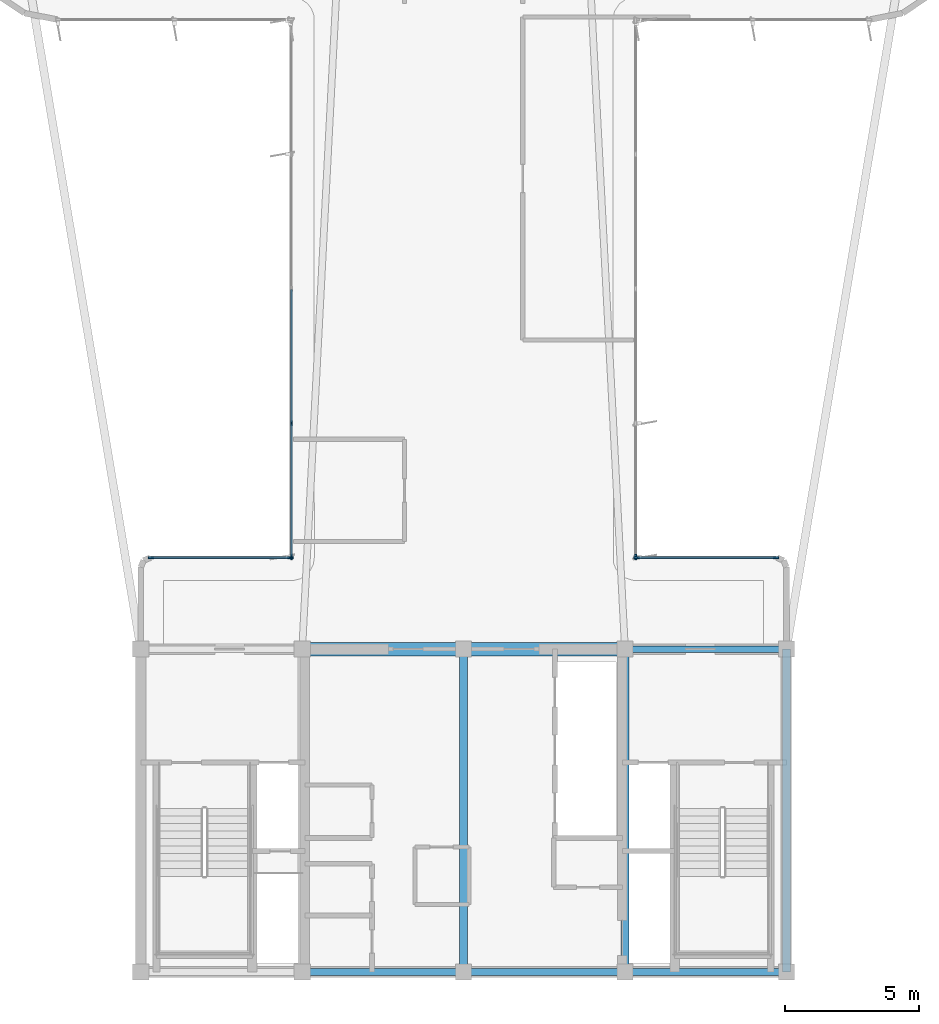
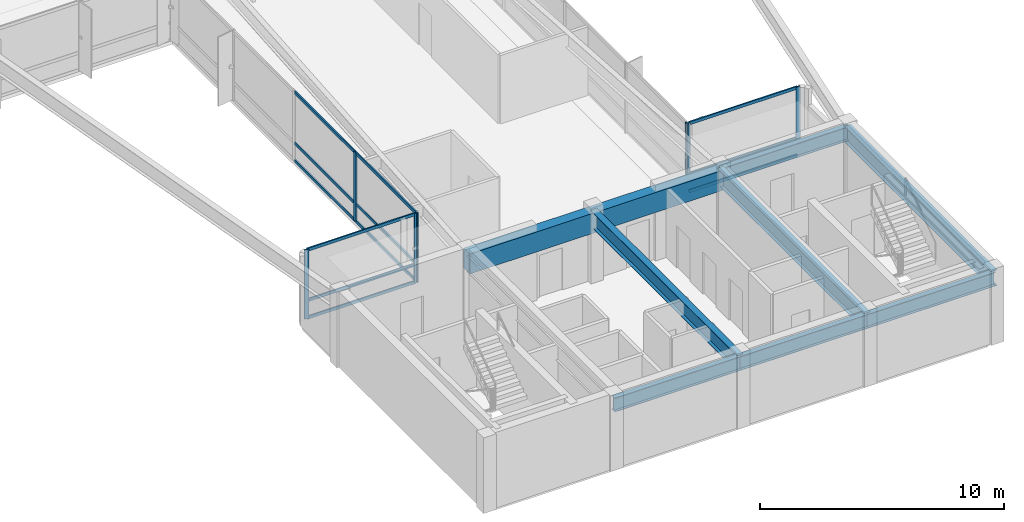
# One storey, part 3 of 17: 19 members, 8 beams, 4 elements without a shape of their own.
"""IFC4 building model written with IfcOpenShell, lengths in metres."""

from ifc_helpers import new_model, si_unit, direction, frame, origin, origin_2d, place, context, subcontext, project, spatial, rectangle, i_section, extrude, source, transform, mapped, material, layer, layer_set, material_profile, profile_set, type_object, element, aggregate, save


model = new_model("IFC4")

# Units and contexts
model_context = context("Model", 3, precision=1e-05, world=origin(), true_north=direction((0.0, 1.0)))
body_context = subcontext(model_context, "Body", "Model", "MODEL_VIEW")
ifc_project = project(units=[si_unit("LENGTHUNIT", "METRE"), si_unit("AREAUNIT", "SQUARE_METRE"), si_unit("VOLUMEUNIT", "CUBIC_METRE"), si_unit("PLANEANGLEUNIT", "RADIAN"), si_unit("MASSUNIT", "GRAM", prefix="KILO")], contexts=[model_context])

# Site, building, storey
site_placement = place(None, origin())
site = spatial("IfcSite", under=ifc_project, at=site_placement, CompositionType="ELEMENT")
building_placement = place(site_placement, origin())
building = spatial("IfcBuilding", under=site, at=building_placement, Name="Brelvock Crest Care Tower", CompositionType="ELEMENT")
storey_placement = place(building_placement, frame((0.0, 0.0, 287.280029296875)))
storey = spatial("IfcBuildingStorey", under=building, at=storey_placement, Name="L73", CompositionType="ELEMENT", Elevation=287.280029296875)

# Beams
ifc_material_1 = material(Name="Steel Grade 350", Category="steel")
ifc_material_profile_1 = material_profile(ifc_material_1, i_section(OverallWidth=0.25, OverallDepth=0.699951171875, WebThickness=0.011962890625, FlangeThickness=0.02001953125, at=origin_2d()), Name="700WB150")
ifc_profile_set_1 = profile_set([ifc_material_profile_1], Name="Steel Grade 350")
beam_type_1 = type_object("IfcBeamType", Name="BM-G4", PredefinedType="BEAM", material=ifc_profile_set_1)
shared_shape_1 = source(origin(), body_context, "Body", "SweptSolid", [
    extrude(i_section(OverallWidth=0.25, OverallDepth=0.699951171875, WebThickness=0.011962890625, FlangeThickness=0.02001953125, at=origin_2d()), origin(), (0.0, 0.0, 1.0), 6.0),
])
for number, where, z_axis, x_axis, name in (
    (1, (30.0, 6.0, 3.10986328125), (1.0, 0.0, 0.0), (0.0, 1.0, 0.0), "BM-CORES-L73-2"),
    (2, (36.0, 6.0, 3.10986328125), (1.0, 0.0, 0.0), (0.0, 1.0, 0.0), "BM-CORES-L73-3"),
    (3, (42.0, 6.0, 3.10986328125), (1.0, 0.0, 0.0), (0.0, 1.0, 0.0), "BM-CORES-L73-4"),
    (4, (42.0, 18.0, 3.10986328125), (1.0, 0.0, 0.0), (0.0, 1.0, 0.0), "BM-COREN-L73-4"),
):
    element("IfcBeam", number, at=place(storey_placement, frame(where, z_axis=z_axis, x_axis=x_axis)), inside=storey, type_object=beam_type_1, Name=name, PredefinedType="BEAM", context=body_context, shape_type="MappedRepresentation", body=[
        mapped(shared_shape_1, transform((0.0, 0.0, 0.0), x_axis=(1.0, 0.0, 0.0), y_axis=(0.0, 1.0, 0.0), z_axis=(0.0, 0.0, 1.0), scale=1.0)),
    ])
ifc_material_profile_2 = material_profile(ifc_material_1, i_section(OverallWidth=0.300048828125, OverallDepth=0.800048828125, WebThickness=0.013916015625, FlangeThickness=0.02197265625, at=origin_2d()), Name="800WB192")
ifc_profile_set_2 = profile_set([ifc_material_profile_2], Name="Steel Grade 350")
beam_type_2 = type_object("IfcBeamType", Name="BM-G5", PredefinedType="BEAM", material=ifc_profile_set_2)
shared_shape_2 = source(origin(), body_context, "Body", "SweptSolid", [
    extrude(i_section(OverallWidth=0.300048828125, OverallDepth=0.800048828125, WebThickness=0.013916015625, FlangeThickness=0.02197265625, at=origin_2d()), origin(), (0.0, 0.0, 1.0), 12.0),
])
for number, where, z_axis, x_axis, name in (
    (5, (36.0, 6.0, 3.06005859375), (0.0, 1.0, 0.0), (-1.0, 0.0, 0.0), "BM-COREX-L73-3"),
    (6, (42.0, 6.0, 3.06005859375), (0.0, 1.0, 0.0), (-1.0, 0.0, 0.0), "BM-COREX-L73-4"),
    (7, (48.0, 6.0, 3.06005859375), (0.0, 1.0, 0.0), (-1.0, 0.0, 0.0), "BM-COREX-L73-5"),
):
    element("IfcBeam", number, at=place(storey_placement, frame(where, z_axis=z_axis, x_axis=x_axis)), inside=storey, type_object=beam_type_2, Name=name, PredefinedType="BEAM", context=body_context, shape_type="MappedRepresentation", body=[
        mapped(shared_shape_2, transform((0.0, 0.0, 0.0), x_axis=(1.0, 0.0, 0.0), y_axis=(0.0, 1.0, 0.0), z_axis=(0.0, 0.0, 1.0), scale=1.0)),
    ])
ifc_material_2 = material(Name="Concrete S65 (65 MPa)", Category="concrete")
ifc_material_profile_3 = material_profile(ifc_material_2, rectangle(XDim=0.5, YDim=1.0, at=origin_2d()), Name="RC500x1000")
ifc_profile_set_3 = profile_set([ifc_material_profile_3], Name="Concrete S65 (65 MPa)")
beam_type_3 = type_object("IfcBeamType", Name="BM-LN2", PredefinedType="LINTEL", material=ifc_profile_set_3)
shared_shape_3 = source(origin(), body_context, "Body", "SweptSolid", [
    extrude(rectangle(XDim=0.5, YDim=1.0, at=origin_2d()), origin(), (0.0, 0.0, 1.0), 12.0),
])
beam_placement = place(storey_placement, frame((30.0, 18.0, 2.9599609375), z_axis=(1.0, 0.0, 0.0), x_axis=(0.0, 1.0, 0.0)))
element("IfcBeam", 8, at=beam_placement, inside=storey, type_object=beam_type_3, Name="L73 Core Coupling Lintel Beam", PredefinedType="LINTEL", context=body_context, shape_type="MappedRepresentation", body=[
    mapped(shared_shape_3, transform((0.0, 0.0, 0.0), x_axis=(1.0, 0.0, 0.0), y_axis=(0.0, 1.0, 0.0), z_axis=(0.0, 0.0, 1.0), scale=1.0)),
])

# Curtain wall, members
ifc_material_3 = material(Name="Dark Glass Double Glazed Low-E", Category="glass")
ifc_layer = layer(ifc_material_3, 0.2548828125, Name="CWS-6")
ifc_layer_set = layer_set([ifc_layer], Name="Dark Glass Double Glazed Low-E")
curtain_wall_type = type_object("IfcCurtainWallType", Name="CWS-6", PredefinedType="NOTDEFINED", material=ifc_layer_set)
curtain_wall_1_placement = place(storey_placement, origin())
curtain_wall_1 = element("IfcCurtainWall", 9, at=curtain_wall_1_placement, inside=storey, type_object=curtain_wall_type, Name="L73 Curtain Wall E10", PredefinedType="NOTDEFINED")
ifc_material_4 = material(Name="Aluminium 6063-T6", Category="aluminium")
ifc_material_profile_4 = material_profile(ifc_material_4, rectangle(XDim=0.06494140625, YDim=0.14990234375, at=origin_2d()), Name="ALU65x150")
ifc_profile_set_4 = profile_set([ifc_material_profile_4], Name="Aluminium 6063-T6")
member_type_1 = type_object("IfcMemberType", Name="CWT-1", PredefinedType="USERDEFINED", material=ifc_profile_set_4)
shared_shape_4 = source(origin(), body_context, "Body", "SweptSolid", [
    extrude(rectangle(XDim=0.06494140625, YDim=0.14990234375, at=origin_2d()), origin(), (0.0, 0.0, 1.0), 5.119873046875),
])
member_1_placement = place(storey_placement, frame((24.4150390625, 21.39990234375, 0.032470703125), z_axis=(1.0, 0.0, 0.0), x_axis=(0.0, 1.0, 0.0)))
member_1 = element("IfcMember", 10, at=member_1_placement, type_object=member_type_1, Name="CW-6 transom 1.1", ObjectType="TRANSOM", PredefinedType="USERDEFINED", context=body_context, shape_type="MappedRepresentation", body=[
    mapped(shared_shape_4, transform((0.0, 0.0, 0.0), x_axis=(1.0, 0.0, 0.0), y_axis=(0.0, 1.0, 0.0), z_axis=(0.0, 0.0, 1.0), scale=1.0)),
])
member_2_placement = place(storey_placement, frame((24.4150390625, 21.39990234375, 0.89990234375), z_axis=(1.0, 0.0, 0.0), x_axis=(0.0, 1.0, 0.0)))
member_2 = element("IfcMember", 11, at=member_2_placement, type_object=member_type_1, Name="CW-6 transom 1.2", ObjectType="TRANSOM", PredefinedType="USERDEFINED", context=body_context, shape_type="MappedRepresentation", body=[
    mapped(shared_shape_4, transform((0.0, 0.0, 0.0), x_axis=(1.0, 0.0, 0.0), y_axis=(0.0, 1.0, 0.0), z_axis=(0.0, 0.0, 1.0), scale=1.0)),
])
member_3_placement = place(storey_placement, frame((24.4150390625, 21.39990234375, 3.427490234375), z_axis=(1.0, 0.0, 0.0), x_axis=(0.0, 1.0, 0.0)))
member_3 = element("IfcMember", 12, at=member_3_placement, type_object=member_type_1, Name="CW-6 transom 1.3", ObjectType="TRANSOM", PredefinedType="USERDEFINED", context=body_context, shape_type="MappedRepresentation", body=[
    mapped(shared_shape_4, transform((0.0, 0.0, 0.0), x_axis=(1.0, 0.0, 0.0), y_axis=(0.0, 1.0, 0.0), z_axis=(0.0, 0.0, 1.0), scale=1.0)),
])

curtain_wall_2_placement = place(storey_placement, origin())
curtain_wall_2 = element("IfcCurtainWall", 13, at=curtain_wall_2_placement, inside=storey, type_object=curtain_wall_type, Name="L73 Curtain Wall E46", PredefinedType="NOTDEFINED")
member_4_placement = place(storey_placement, frame((42.465087890625, 21.39990234375, 0.032470703125), z_axis=(1.0, 0.0, 0.0), x_axis=(0.0, 1.0, 0.0)))
member_4 = element("IfcMember", 14, at=member_4_placement, type_object=member_type_1, Name="CW-6 transom 1.1", ObjectType="TRANSOM", PredefinedType="USERDEFINED", context=body_context, shape_type="MappedRepresentation", body=[
    mapped(shared_shape_4, transform((0.0, 0.0, 0.0), x_axis=(1.0, 0.0, 0.0), y_axis=(0.0, 1.0, 0.0), z_axis=(0.0, 0.0, 1.0), scale=1.0)),
])
member_5_placement = place(storey_placement, frame((42.465087890625, 21.39990234375, 0.89990234375), z_axis=(1.0, 0.0, 0.0), x_axis=(0.0, 1.0, 0.0)))
member_5 = element("IfcMember", 15, at=member_5_placement, type_object=member_type_1, Name="CW-6 transom 1.2", ObjectType="TRANSOM", PredefinedType="USERDEFINED", context=body_context, shape_type="MappedRepresentation", body=[
    mapped(shared_shape_4, transform((0.0, 0.0, 0.0), x_axis=(1.0, 0.0, 0.0), y_axis=(0.0, 1.0, 0.0), z_axis=(0.0, 0.0, 1.0), scale=1.0)),
])
member_6_placement = place(storey_placement, frame((42.465087890625, 21.39990234375, 3.427490234375), z_axis=(1.0, 0.0, 0.0), x_axis=(0.0, 1.0, 0.0)))
member_6 = element("IfcMember", 16, at=member_6_placement, type_object=member_type_1, Name="CW-6 transom 1.3", ObjectType="TRANSOM", PredefinedType="USERDEFINED", context=body_context, shape_type="MappedRepresentation", body=[
    mapped(shared_shape_4, transform((0.0, 0.0, 0.0), x_axis=(1.0, 0.0, 0.0), y_axis=(0.0, 1.0, 0.0), z_axis=(0.0, 0.0, 1.0), scale=1.0)),
])

curtain_wall_3_placement = place(storey_placement, origin())
curtain_wall_3 = element("IfcCurtainWall", 17, at=curtain_wall_3_placement, inside=storey, type_object=curtain_wall_type, Name="L73 Curtain Wall E11", PredefinedType="NOTDEFINED")
shared_shape_5 = source(origin(), body_context, "Body", "SweptSolid", [
    extrude(rectangle(XDim=0.06494140625, YDim=0.14990234375, at=origin_2d()), origin(), (0.0, 0.0, 1.0), 4.90234375),
])
member_7_placement = place(storey_placement, frame((29.60009765625, 21.465087890625, 0.032470703125), z_axis=(0.0, 1.0, 0.0), x_axis=(-1.0, 0.0, 0.0)))
member_7 = element("IfcMember", 18, at=member_7_placement, type_object=member_type_1, Name="CW-6 transom 1.1", ObjectType="TRANSOM", PredefinedType="USERDEFINED", context=body_context, shape_type="MappedRepresentation", body=[
    mapped(shared_shape_5, transform((0.0, 0.0, 0.0), x_axis=(1.0, 0.0, 0.0), y_axis=(0.0, 1.0, 0.0), z_axis=(0.0, 0.0, 1.0), scale=1.0)),
])
member_8_placement = place(storey_placement, frame((29.60009765625, 21.465087890625, 0.89990234375), z_axis=(0.0, 1.0, 0.0), x_axis=(-1.0, 0.0, 0.0)))
member_8 = element("IfcMember", 19, at=member_8_placement, type_object=member_type_1, Name="CW-6 transom 1.2", ObjectType="TRANSOM", PredefinedType="USERDEFINED", context=body_context, shape_type="MappedRepresentation", body=[
    mapped(shared_shape_5, transform((0.0, 0.0, 0.0), x_axis=(1.0, 0.0, 0.0), y_axis=(0.0, 1.0, 0.0), z_axis=(0.0, 0.0, 1.0), scale=1.0)),
])
member_9_placement = place(storey_placement, frame((29.60009765625, 21.465087890625, 3.427490234375), z_axis=(0.0, 1.0, 0.0), x_axis=(-1.0, 0.0, 0.0)))
member_9 = element("IfcMember", 20, at=member_9_placement, type_object=member_type_1, Name="CW-6 transom 1.3", ObjectType="TRANSOM", PredefinedType="USERDEFINED", context=body_context, shape_type="MappedRepresentation", body=[
    mapped(shared_shape_5, transform((0.0, 0.0, 0.0), x_axis=(1.0, 0.0, 0.0), y_axis=(0.0, 1.0, 0.0), z_axis=(0.0, 0.0, 1.0), scale=1.0)),
])
shared_shape_6 = source(origin(), body_context, "Body", "SweptSolid", [
    extrude(rectangle(XDim=0.06494140625, YDim=0.14990234375, at=origin_2d()), origin(), (0.0, 0.0, 1.0), 4.934814453125),
])
member_10_placement = place(storey_placement, frame((29.60009765625, 26.4326171875, 0.032470703125), z_axis=(0.0, 1.0, 0.0), x_axis=(-1.0, 0.0, 0.0)))
member_10 = element("IfcMember", 21, at=member_10_placement, type_object=member_type_1, Name="CW-6 transom 2.1", ObjectType="TRANSOM", PredefinedType="USERDEFINED", context=body_context, shape_type="MappedRepresentation", body=[
    mapped(shared_shape_6, transform((0.0, 0.0, 0.0), x_axis=(1.0, 0.0, 0.0), y_axis=(0.0, 1.0, 0.0), z_axis=(0.0, 0.0, 1.0), scale=1.0)),
])
member_11_placement = place(storey_placement, frame((29.60009765625, 26.4326171875, 0.89990234375), z_axis=(0.0, 1.0, 0.0), x_axis=(-1.0, 0.0, 0.0)))
member_11 = element("IfcMember", 22, at=member_11_placement, type_object=member_type_1, Name="CW-6 transom 2.2", ObjectType="TRANSOM", PredefinedType="USERDEFINED", context=body_context, shape_type="MappedRepresentation", body=[
    mapped(shared_shape_6, transform((0.0, 0.0, 0.0), x_axis=(1.0, 0.0, 0.0), y_axis=(0.0, 1.0, 0.0), z_axis=(0.0, 0.0, 1.0), scale=1.0)),
])
member_12_placement = place(storey_placement, frame((29.60009765625, 26.4326171875, 3.427490234375), z_axis=(0.0, 1.0, 0.0), x_axis=(-1.0, 0.0, 0.0)))
member_12 = element("IfcMember", 23, at=member_12_placement, type_object=member_type_1, Name="CW-6 transom 2.3", ObjectType="TRANSOM", PredefinedType="USERDEFINED", context=body_context, shape_type="MappedRepresentation", body=[
    mapped(shared_shape_6, transform((0.0, 0.0, 0.0), x_axis=(1.0, 0.0, 0.0), y_axis=(0.0, 1.0, 0.0), z_axis=(0.0, 0.0, 1.0), scale=1.0)),
])

# Member
ifc_material_profile_5 = material_profile(ifc_material_4, rectangle(XDim=0.06494140625, YDim=0.199951171875, at=origin_2d()), Name="ALU65x200")
ifc_profile_set_5 = profile_set([ifc_material_profile_5], Name="Aluminium 6063-T6")
member_type_2 = type_object("IfcMemberType", Name="CWM-1", PredefinedType="MULLION", material=ifc_profile_set_5)
shared_shape_7 = source(origin(), body_context, "Body", "SweptSolid", [
    extrude(rectangle(XDim=0.06494140625, YDim=0.199951171875, at=origin_2d()), origin(), (0.0, 0.0, 1.0), 3.4599609375),
])
member_13_placement = place(storey_placement, frame((24.382568359375, 21.39990234375, 0.0), z_axis=(0.0, 0.0, 1.0), x_axis=(0.0, 1.0, 0.0)))
member_13 = element("IfcMember", 24, at=member_13_placement, type_object=member_type_2, Name="CW-6 mullion 1", PredefinedType="MULLION", context=body_context, shape_type="MappedRepresentation", body=[
    mapped(shared_shape_7, transform((0.0, 0.0, 0.0), x_axis=(1.0, 0.0, 0.0), y_axis=(0.0, 1.0, 0.0), z_axis=(0.0, 0.0, 1.0), scale=1.0)),
])

member_14_placement = place(storey_placement, frame((29.5673828125, 21.39990234375, 0.0), z_axis=(0.0, 0.0, 1.0), x_axis=(0.0, 1.0, 0.0)))
member_14 = element("IfcMember", 25, at=member_14_placement, type_object=member_type_2, Name="CW-6 mullion 2", PredefinedType="MULLION", context=body_context, shape_type="MappedRepresentation", body=[
    mapped(shared_shape_7, transform((0.0, 0.0, 0.0), x_axis=(1.0, 0.0, 0.0), y_axis=(0.0, 1.0, 0.0), z_axis=(0.0, 0.0, 1.0), scale=1.0)),
])

aggregate(curtain_wall_1, [member_13, member_14, member_1, member_2, member_3])

member_15_placement = place(storey_placement, frame((29.60009765625, 21.4326171875, 0.0), z_axis=(0.0, 0.0, 1.0), x_axis=(-1.0, 0.0, 0.0)))
member_15 = element("IfcMember", 26, at=member_15_placement, type_object=member_type_2, Name="CW-6 mullion 1", PredefinedType="MULLION", context=body_context, shape_type="MappedRepresentation", body=[
    mapped(shared_shape_7, transform((0.0, 0.0, 0.0), x_axis=(1.0, 0.0, 0.0), y_axis=(0.0, 1.0, 0.0), z_axis=(0.0, 0.0, 1.0), scale=1.0)),
])

member_16_placement = place(storey_placement, frame((29.60009765625, 26.39990234375, 0.0), z_axis=(0.0, 0.0, 1.0), x_axis=(-1.0, 0.0, 0.0)))
member_16 = element("IfcMember", 27, at=member_16_placement, type_object=member_type_2, Name="CW-6 mullion 2", PredefinedType="MULLION", context=body_context, shape_type="MappedRepresentation", body=[
    mapped(shared_shape_7, transform((0.0, 0.0, 0.0), x_axis=(1.0, 0.0, 0.0), y_axis=(0.0, 1.0, 0.0), z_axis=(0.0, 0.0, 1.0), scale=1.0)),
])

aggregate(curtain_wall_3, [member_15, member_16, member_7, member_8, member_9, member_10, member_11, member_12])

# Curtain wall, member
curtain_wall_4_placement = place(storey_placement, origin())
curtain_wall_4 = element("IfcCurtainWall", 28, at=curtain_wall_4_placement, inside=storey, type_object=curtain_wall_type, Name="L73 Curtain Wall E45", PredefinedType="NOTDEFINED")
member_17_placement = place(storey_placement, frame((42.39990234375, 21.4326171875, 0.0), z_axis=(0.0, 0.0, 1.0), x_axis=(1.0, 0.0, 0.0)))
member_17 = element("IfcMember", 29, at=member_17_placement, type_object=member_type_2, Name="CW-6 mullion 5", PredefinedType="MULLION", context=body_context, shape_type="MappedRepresentation", body=[
    mapped(shared_shape_7, transform((0.0, 0.0, 0.0), x_axis=(1.0, 0.0, 0.0), y_axis=(0.0, 1.0, 0.0), z_axis=(0.0, 0.0, 1.0), scale=1.0)),
])
aggregate(curtain_wall_4, [member_17])

# Member
member_18_placement = place(storey_placement, frame((42.4326171875, 21.39990234375, 0.0), z_axis=(0.0, 0.0, 1.0), x_axis=(0.0, 1.0, 0.0)))
member_18 = element("IfcMember", 30, at=member_18_placement, type_object=member_type_2, Name="CW-6 mullion 1", PredefinedType="MULLION", context=body_context, shape_type="MappedRepresentation", body=[
    mapped(shared_shape_7, transform((0.0, 0.0, 0.0), x_axis=(1.0, 0.0, 0.0), y_axis=(0.0, 1.0, 0.0), z_axis=(0.0, 0.0, 1.0), scale=1.0)),
])

member_19_placement = place(storey_placement, frame((47.617431640625, 21.39990234375, 0.0), z_axis=(0.0, 0.0, 1.0), x_axis=(0.0, 1.0, 0.0)))
member_19 = element("IfcMember", 31, at=member_19_placement, type_object=member_type_2, Name="CW-6 mullion 2", PredefinedType="MULLION", context=body_context, shape_type="MappedRepresentation", body=[
    mapped(shared_shape_7, transform((0.0, 0.0, 0.0), x_axis=(1.0, 0.0, 0.0), y_axis=(0.0, 1.0, 0.0), z_axis=(0.0, 0.0, 1.0), scale=1.0)),
])

aggregate(curtain_wall_2, [member_18, member_19, member_4, member_5, member_6])

save(model, "model.ifc")
